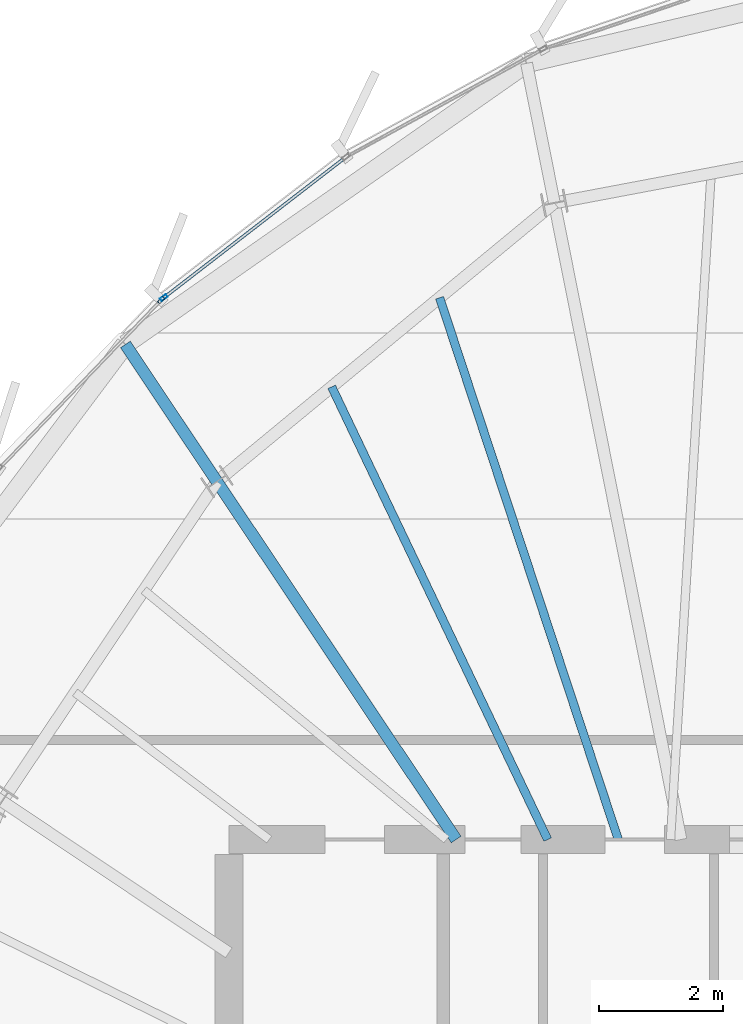
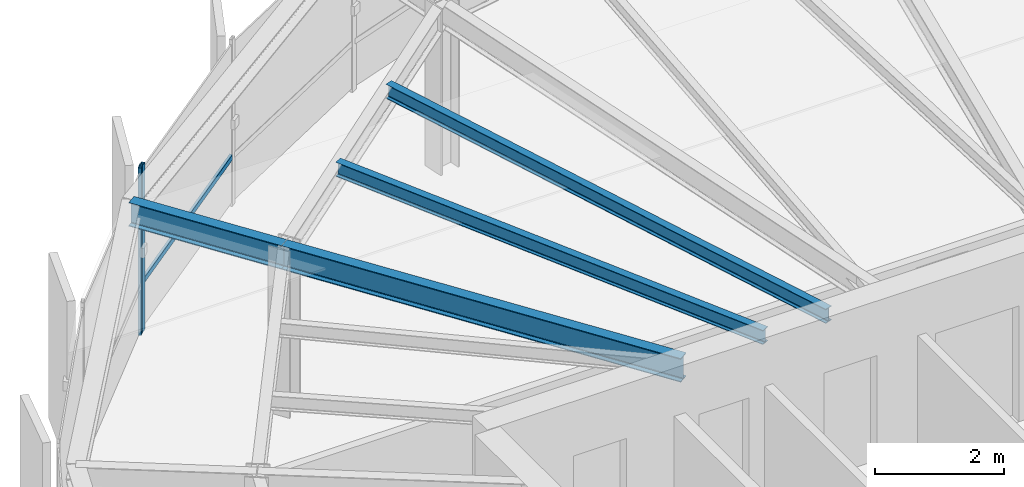
# One storey, part 18 of 31: 4 beams, 3 members, 2 elements without a shape of their own.
"""IFC4 building model written with IfcOpenShell, lengths in metres."""

from ifc_helpers import new_model, si_unit, direction, frame, origin, origin_2d, place, context, subcontext, project, spatial, hollow_rectangle, i_section, extrude, source, transform, mapped, material, layer, layer_set, material_profile, profile_set, type_object, element, aggregate, save


model = new_model("IFC4")

# Units and contexts
model_context = context("Model", 3, precision=1e-05, world=origin(), true_north=direction((0.0, 1.0)))
body_context = subcontext(model_context, "Body", "Model", "MODEL_VIEW")
ifc_project = project(units=[si_unit("LENGTHUNIT", "METRE"), si_unit("AREAUNIT", "SQUARE_METRE"), si_unit("VOLUMEUNIT", "CUBIC_METRE"), si_unit("PLANEANGLEUNIT", "RADIAN"), si_unit("MASSUNIT", "GRAM", prefix="KILO"), si_unit("THERMODYNAMICTEMPERATUREUNIT", "KELVIN")], contexts=[model_context])

# Site, building, storey
site_placement = place(None, origin())
site = spatial("IfcSite", under=ifc_project, at=site_placement, CompositionType="ELEMENT")
building_placement = place(site_placement, origin())
building = spatial("IfcBuilding", under=site, at=building_placement, Name="Kethvar Cultural Tower", CompositionType="ELEMENT")
storey_placement = place(building_placement, frame((0.0, 0.0, 300.85009765625)))
storey = spatial("IfcBuildingStorey", under=building, at=storey_placement, Name="L80", CompositionType="ELEMENT", Elevation=300.85009765625)

# Beams
ifc_material_1 = material(Name="Steel S355J2", Category="steel")
ifc_material_profile_1 = material_profile(ifc_material_1, i_section(OverallWidth=0.18994140625, OverallDepth=0.449951171875, WebThickness=0.009521484375, FlangeThickness=0.0146484375, FilletRadius=0.02099609375, at=origin_2d()), Name="Steel S355J2 — IPE450")
ifc_profile_set_1 = profile_set([ifc_material_profile_1], Name="Steel S355J2 — IPE450")
beam_type_1 = type_object("IfcBeamType", Name="BM-IPE450", PredefinedType="BEAM", material=ifc_profile_set_1)
shared_shape_1 = source(origin(), body_context, "Body", "SweptSolid", [
    extrude(i_section(OverallWidth=0.18994140625, OverallDepth=0.449951171875, WebThickness=0.009521484375, FlangeThickness=0.0146484375, FilletRadius=0.02099609375, at=origin_2d()), origin(), (0.0, 0.0, 1.0), 6.921630859375),
])
beam_1_placement = place(storey_placement, frame((41.655029296875, 35.5, 2.9580078125), z_axis=(-0.555570841874, 0.831469205479, 0.0), x_axis=(-0.831469205479, -0.555570841874, 0.0)))
element("IfcBeam", 1, at=beam_1_placement, inside=storey, type_object=beam_type_1, Name="L80 Primary Radial Beam RB-06", PredefinedType="BEAM", context=body_context, shape_type="MappedRepresentation", body=[
    mapped(shared_shape_1, transform((0.0, 0.0, 0.0), scale=1.0)),
])
ifc_material_profile_2 = material_profile(ifc_material_1, i_section(OverallWidth=0.135009765625, OverallDepth=0.27001953125, WebThickness=0.006591796875, FlangeThickness=0.01025390625, FilletRadius=0.014892578125, at=origin_2d()), Name="Steel S355J2 — IPE270")
ifc_profile_set_2 = profile_set([ifc_material_profile_2], Name="Steel S355J2 — IPE270")
beam_type_2 = type_object("IfcBeamType", Name="BM-J270", PredefinedType="JOIST", material=ifc_profile_set_2)
shared_shape_2 = source(origin(), body_context, "Body", "SweptSolid", [
    extrude(i_section(OverallWidth=0.135009765625, OverallDepth=0.27001953125, WebThickness=0.006591796875, FlangeThickness=0.01025390625, FilletRadius=0.014892578125, at=origin_2d()), origin(), (0.0, 0.0, 1.0), 9.17138671875),
])
beam_2_placement = place(storey_placement, frame((44.260986328125, 35.5, 3.0478515625), z_axis=(-0.313151555446, 0.949703165901, 0.0), x_axis=(-0.949703165901, -0.313151555446, 0.0)))
element("IfcBeam", 2, at=beam_2_placement, inside=storey, type_object=beam_type_2, Name="L80 Composite Floor Joist J-05A", PredefinedType="JOIST", context=body_context, shape_type="MappedRepresentation", body=[
    mapped(shared_shape_2, transform((0.0, 0.0, 0.0), scale=1.0)),
])
shared_shape_3 = source(origin(), body_context, "Body", "SweptSolid", [
    extrude(i_section(OverallWidth=0.135009765625, OverallDepth=0.27001953125, WebThickness=0.006591796875, FlangeThickness=0.01025390625, FilletRadius=0.014892578125, at=origin_2d()), origin(), (0.0, 0.0, 1.0), 8.063232421875),
])
beam_3_placement = place(storey_placement, frame((43.1259765625, 35.5, 3.0478515625), z_axis=(-0.430642151588, 0.902522762746, 0.0), x_axis=(-0.902522762746, -0.430642151588, 0.0)))
element("IfcBeam", 3, at=beam_3_placement, inside=storey, type_object=beam_type_2, Name="L80 Composite Floor Joist J-05B", PredefinedType="JOIST", context=body_context, shape_type="MappedRepresentation", body=[
    mapped(shared_shape_3, transform((0.0, 0.0, 0.0), scale=1.0)),
])
shared_shape_4 = source(origin(), body_context, "Body", "SweptSolid", [
    extrude(i_section(OverallWidth=0.18994140625, OverallDepth=0.449951171875, WebThickness=0.009521484375, FlangeThickness=0.0146484375, FilletRadius=0.02099609375, at=origin_2d()), origin(), (0.0, 0.0, 1.0), 2.650634765625),
])
beam_4_placement = place(storey_placement, frame((37.8095703125, 41.255126953125, 2.9580078125), z_axis=(-0.55559261145, 0.831454659078, 0.0), x_axis=(-0.831454659078, -0.55559261145, 0.0)))
element("IfcBeam", 4, at=beam_4_placement, inside=storey, type_object=beam_type_1, Name="L80 Perimeter Cantilever Beam RC-06", PredefinedType="BEAM", context=body_context, shape_type="MappedRepresentation", body=[
    mapped(shared_shape_4, transform((0.0, 0.0, 0.0), scale=1.0)),
])

# Curtain wall, member
ifc_material_2 = material(Name="Aluminium 6063-T6", Category="aluminium")
ifc_layer = layer(ifc_material_2, 0.179931640625, Name="Aluminium 6063-T6", Category="aluminium")
ifc_layer_set = layer_set([ifc_layer], Name="Aluminium 6063-T6 (180 mm)")
curtain_wall_type = type_object("IfcCurtainWallType", Name="CW-SYS-05-Z56", PredefinedType="NOTDEFINED", material=ifc_layer_set)
curtain_wall_1_placement = place(storey_placement, origin())
curtain_wall_1 = element("IfcCurtainWall", 5, at=curtain_wall_1_placement, inside=storey, type_object=curtain_wall_type, Name="L80 Curtain Wall Run 01", PredefinedType="NOTDEFINED")
ifc_material_profile_3 = material_profile(ifc_material_2, hollow_rectangle(XDim=0.054931640625, YDim=0.1201171875, WallThickness=0.00390625, at=origin_2d()), Name="Aluminium 6063-T6 — RHS120x55x4")
ifc_profile_set_3 = profile_set([ifc_material_profile_3], Name="Aluminium 6063-T6 — RHS120x55x4")
member_type_1 = type_object("IfcMemberType", Name="CW-SYS-05-Z56-MUL", PredefinedType="MULLION", material=ifc_profile_set_3)
shared_shape_5 = source(origin(), body_context, "Body", "SweptSolid", [
    extrude(hollow_rectangle(XDim=0.054931640625, YDim=0.1201171875, WallThickness=0.00390625, at=origin_2d()), origin(), (0.0, 0.0, 1.0), 3.184814453125),
])
member_1_placement = place(storey_placement, frame((36.956298828125, 44.209716796875, 0.0), z_axis=(0.0, 0.0, 1.0), x_axis=(0.611333689551, -0.79137293359, 0.0)))
member_1 = element("IfcMember", 6, at=member_1_placement, type_object=member_type_1, Name="CW-L80-R01 Mullion 7", PredefinedType="MULLION", context=body_context, shape_type="MappedRepresentation", body=[
    mapped(shared_shape_5, transform((0.0, 0.0, 0.0), scale=1.0)),
])

curtain_wall_2_placement = place(storey_placement, origin())
curtain_wall_2 = element("IfcCurtainWall", 7, at=curtain_wall_2_placement, inside=storey, type_object=curtain_wall_type, Name="L80 Curtain Wall Run 02", PredefinedType="NOTDEFINED")
member_2_placement = place(storey_placement, frame((36.9140625, 44.171875, 0.0), z_axis=(0.0, 0.0, 1.0), x_axis=(0.721107578065, -0.692823109356, 0.0)))
member_2 = element("IfcMember", 8, at=member_2_placement, type_object=member_type_1, Name="CW-L80-R02 Mullion 1", PredefinedType="MULLION", context=body_context, shape_type="MappedRepresentation", body=[
    mapped(shared_shape_5, transform((0.0, 0.0, 0.0), scale=1.0)),
])
aggregate(curtain_wall_2, [member_2])

# Member
ifc_material_profile_4 = material_profile(ifc_material_2, hollow_rectangle(XDim=0.050048828125, YDim=0.10009765625, WallThickness=0.00390625, at=origin_2d()), Name="Aluminium 6063-T6 — RHS100x50x4")
ifc_profile_set_4 = profile_set([ifc_material_profile_4], Name="Aluminium 6063-T6 — RHS100x50x4")
member_type_2 = type_object("IfcMemberType", Name="CW-SYS-05-Z56-TRN", PredefinedType="USERDEFINED", material=ifc_profile_set_4)
shared_shape_6 = source(origin(), body_context, "Body", "SweptSolid", [
    extrude(hollow_rectangle(XDim=0.050048828125, YDim=0.10009765625, WallThickness=0.00390625, at=origin_2d()), origin(), (0.0, 0.0, 1.0), 3.6591796875),
])
member_3_placement = place(storey_placement, frame((39.85498046875, 46.448974609375, 0.949951171875), z_axis=(-0.791359828318, -0.611350653982, 0.0), x_axis=(0.611350653982, -0.791359828318, 0.0)))
member_3 = element("IfcMember", 9, at=member_3_placement, type_object=member_type_2, Name="CW-L80-R01 Transom 6", ObjectType="TRANSOM", PredefinedType="USERDEFINED", context=body_context, shape_type="MappedRepresentation", body=[
    mapped(shared_shape_6, transform((0.0, 0.0, 0.0), scale=1.0)),
])

aggregate(curtain_wall_1, [member_1, member_3])

save(model, "model.ifc")
